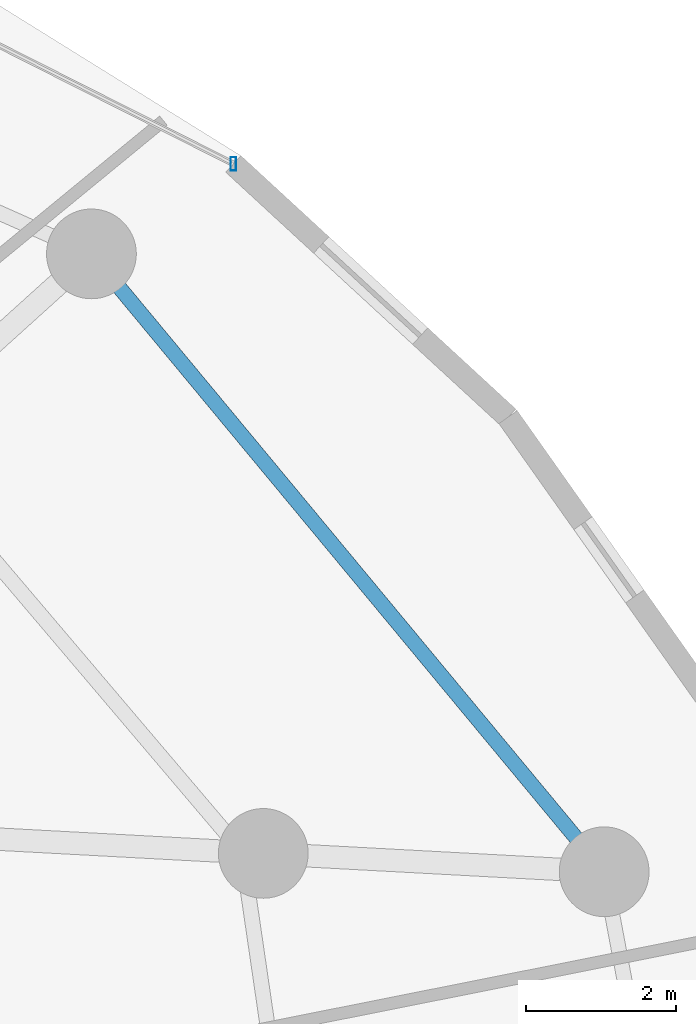
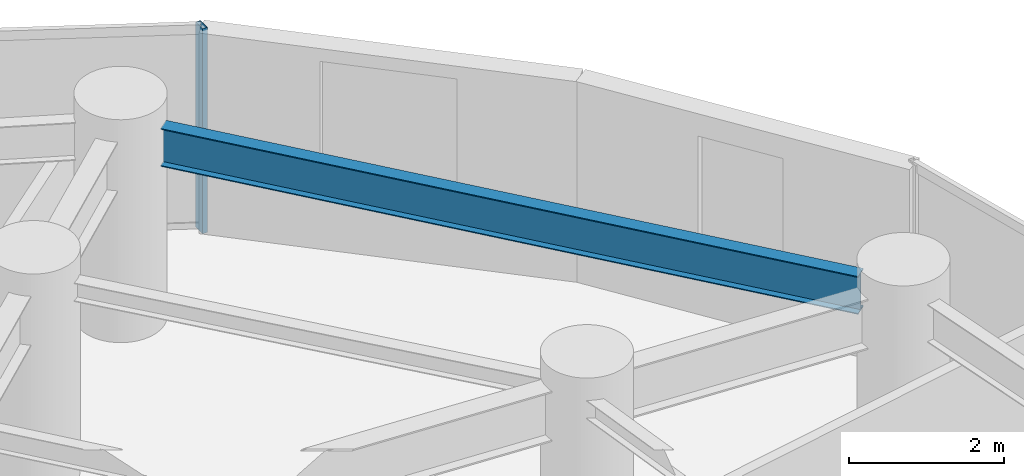
# One storey, part 24 of 34: 1 beam, 1 member, 1 element without a shape of its own.
"""IFC4 building model written with IfcOpenShell, lengths in metres."""

import ifcopenshell
import ifcopenshell.guid

model = None  # the IFC model being written
_history = None  # IfcOwnerHistory: only IFC2X3 demands one
_inside = {}  # id of a spatial element -> (the spatial element, [elements in it])
_under = {}  # id of a project, library or spatial element -> (it, [spatial elements below it])
_declared = {}  # id of a project -> (the project, [libraries it declares])
_typed = {}  # id of a type object -> (the type object, [elements of that type])
_made_of = {}  # id of a material, layer set ... -> (it, [elements and type objects made of it])


def new_model(schema):
    """Start an empty IFC model of exactly this schema.

    Asked for "IFC4X3", IfcOpenShell would pick the latest addendum, in which some entities
    have other attributes; the version numbers below select the first issue.
    IFC2X3 requires an IfcOwnerHistory on every rooted entity: one is made here for all.
    """
    global model, _history
    if schema == "IFC4X3":
        model = ifcopenshell.file(schema_version=(4, 3, 0, 0))
    else:
        model = ifcopenshell.file(schema=schema)
    _inside.clear()
    _under.clear()
    _declared.clear()
    _typed.clear()
    _made_of.clear()
    _history = None
    if model.schema == "IFC2X3":
        org = make("IfcOrganization", Name="unknown")
        user = make(
            "IfcPersonAndOrganization",
            ThePerson=make("IfcPerson", FamilyName="unknown"),
            TheOrganization=org,
        )
        app = make(
            "IfcApplication",
            ApplicationDeveloper=org,
            Version="unknown",
            ApplicationFullName="unknown",
            ApplicationIdentifier="unknown",
        )
        _history = make(
            "IfcOwnerHistory",
            OwningUser=user,
            OwningApplication=app,
            ChangeAction="ADDED",
            CreationDate=0,
        )
    return model


def make(cls, **values):
    """One entity of the class cls with the attributes given. An attribute that is None is left unset."""
    return model.create_entity(
        cls, **{name: value for name, value in values.items() if value is not None}
    )


def rooted(cls, **values):
    """An entity with a GlobalId (a new one), such as an element, a storey or a relation."""
    return make(cls, GlobalId=ifcopenshell.guid.new(), OwnerHistory=_history, **values)


def si_unit(unit_type, name, prefix=None):
    """IfcSIUnit, for example si_unit("LENGTHUNIT", "METRE", prefix="MILLI")."""
    return make("IfcSIUnit", UnitType=unit_type, Prefix=prefix, Name=name)


def assignment(units):
    """IfcUnitAssignment: the units of a project."""
    return None if units is None else make("IfcUnitAssignment", Units=units)


def point(xyz):
    """IfcCartesianPoint."""
    return None if xyz is None else make("IfcCartesianPoint", Coordinates=xyz)


def direction(xyz):
    """IfcDirection."""
    return None if xyz is None else make("IfcDirection", DirectionRatios=xyz)


def frame(location, z_axis=None, x_axis=None):
    """IfcAxis2Placement3D, a coordinate frame: its origin and axes. An axis left out is left unset."""
    return make(
        "IfcAxis2Placement3D",
        Location=point(location),
        Axis=direction(z_axis),
        RefDirection=direction(x_axis),
    )


def frame_2d(location, x_axis=None):
    """IfcAxis2Placement2D, a coordinate frame in the plane: its origin and x axis."""
    return make(
        "IfcAxis2Placement2D", Location=point(location), RefDirection=direction(x_axis)
    )


def origin():
    """The frame at (0, 0, 0) with its axes left unset."""
    return frame((0.0, 0.0, 0.0))


def origin_2d():
    """The frame at (0, 0) in the plane with its x axis left unset."""
    return frame_2d((0.0, 0.0))


def place(relative_to, where):
    """IfcLocalPlacement: puts the frame where relative to a parent placement (None: the world)."""
    return make(
        "IfcLocalPlacement", PlacementRelTo=relative_to, RelativePlacement=where
    )


def context(
    kind, dimensions, precision=None, world=None, true_north=None, identifier=None
):
    """IfcGeometricRepresentationContext, for example the 3D "Model" context."""
    return make(
        "IfcGeometricRepresentationContext",
        ContextIdentifier=identifier,
        ContextType=kind,
        CoordinateSpaceDimension=dimensions,
        Precision=precision,
        WorldCoordinateSystem=world,
        TrueNorth=true_north,
    )


def subcontext(parent, identifier, kind, view, scale=None):
    """IfcGeometricRepresentationSubContext, for example "Body" below "Model"."""
    return make(
        "IfcGeometricRepresentationSubContext",
        ContextIdentifier=identifier,
        ContextType=kind,
        ParentContext=parent,
        TargetScale=scale,
        TargetView=view,
    )


def project(units=None, contexts=None):
    """IfcProject with its units and contexts."""
    return rooted(
        "IfcProject",
        Name="project",
        RepresentationContexts=contexts,
        UnitsInContext=assignment(units),
    )


def spatial(cls, under=None, at=None, **own):
    """A site, building, storey or space (cls), placed at a placement, below another one or the project."""
    s = rooted(cls, ObjectPlacement=at, **own)
    if under is not None:
        _under.setdefault(under.id(), (under, []))[1].append(s)
    return s


def profile(cls, at=None, kind="AREA", **sizes):
    """A parametric profile (cls). Its sizes go by their IFC names, for example OverallWidth=200.0."""
    return make(cls, ProfileType=kind, Position=at, **sizes)


def hollow_rectangle(**sizes):
    """IfcRectangleHollowProfileDef."""
    return profile("IfcRectangleHollowProfileDef", **sizes)


def i_section(**sizes):
    """IfcIShapeProfileDef."""
    return profile("IfcIShapeProfileDef", **sizes)


def extrude(swept, where, along, depth):
    """IfcExtrudedAreaSolid: the profile swept, set in the frame where, extruded along a direction by depth."""
    return make(
        "IfcExtrudedAreaSolid",
        SweptArea=swept,
        Position=where,
        ExtrudedDirection=direction(along),
        Depth=depth,
    )


def shape(context_of_items, identifier, shape_type, items):
    """IfcShapeRepresentation: the items that make up one representation, for example the "Body"."""
    return make(
        "IfcShapeRepresentation",
        ContextOfItems=context_of_items,
        RepresentationIdentifier=identifier,
        RepresentationType=shape_type,
        Items=items,
    )


def material(Name=None, Category=None):
    """IfcMaterial."""
    return make("IfcMaterial", Name=Name, Category=Category)


def material_profile(
    of_material, cross_section, Name=None, Category=None, Priority=None
):
    """IfcMaterialProfile: a cross section and its material."""
    return make(
        "IfcMaterialProfile",
        Name=Name,
        Material=of_material,
        Profile=cross_section,
        Priority=Priority,
        Category=Category,
    )


def profile_set(profiles, Name=None, composite=None):
    """IfcMaterialProfileSet."""
    return make(
        "IfcMaterialProfileSet",
        Name=Name,
        MaterialProfiles=profiles,
        CompositeProfile=composite,
    )


def made_of(thing, what):
    """Note that an element or type object is made of a material, layer set ...; save() writes the relation."""
    if what is not None:
        _made_of.setdefault(what.id(), (what, []))[1].append(thing)
    return thing


def type_object(cls, material=None, **own):
    """A type object (cls), such as IfcWallType, which elements share."""
    return made_of(rooted(cls, **own), material)


def element(
    cls,
    number,
    at=None,
    inside=None,
    cuts=None,
    type_object=None,
    material=None,
    context=None,
    identifier="Body",
    shape_type=None,
    held_by="IfcProductDefinitionShape",
    body=None,
    shapes=None,
    **own,
):
    """One element of the class cls, such as IfcWall. Its Tag is "e" and its number.

    at: its placement. inside: the storey or other place that contains it. cuts: it is an
    opening in that element (IfcRelVoidsElement). A single representation is given by context,
    identifier, shape_type and body (its items); several are given by shapes. held_by: the class
    of the entity that holds the representations. save() writes the other relations.
    """
    e = rooted(cls, Tag="e%d" % number, ObjectPlacement=at, **own)
    if body is not None:
        shapes = [shape(context, identifier, shape_type, body)]
    if shapes is not None:
        e.Representation = make(held_by, Representations=shapes)
    if inside is not None:
        _inside.setdefault(inside.id(), (inside, []))[1].append(e)
    if cuts is not None:
        rooted(
            "IfcRelVoidsElement", RelatingBuildingElement=cuts, RelatedOpeningElement=e
        )
    if type_object is not None:
        _typed.setdefault(type_object.id(), (type_object, []))[1].append(e)
    return made_of(e, material)


def aggregate(whole, parts):
    """IfcRelAggregates: a whole, such as a stair, and the parts it consists of."""
    return rooted("IfcRelAggregates", RelatingObject=whole, RelatedObjects=parts)


def save(model, path):
    """Write the relations noted so far, then the file.

    IfcRelAggregates (storeys below a building ...), IfcRelContainedInSpatialStructure (elements
    in a storey), IfcRelDefinesByType, IfcRelAssociatesMaterial and IfcRelDeclares: one each for
    every whole, place, type object, material and project.
    """
    for whole, parts in _under.values():
        aggregate(whole, parts)
    for where, things in _inside.values():
        rooted(
            "IfcRelContainedInSpatialStructure",
            RelatedElements=things,
            RelatingStructure=where,
        )
    for kind, things in _typed.values():
        rooted("IfcRelDefinesByType", RelatedObjects=things, RelatingType=kind)
    for what, things in _made_of.values():
        rooted("IfcRelAssociatesMaterial", RelatedObjects=things, RelatingMaterial=what)
    for by, libraries in _declared.values():
        rooted("IfcRelDeclares", RelatingContext=by, RelatedDefinitions=libraries)
    model.write(path)


model = new_model("IFC4")

# Units and contexts
model_context = context("Model", 3, precision=1e-05, world=origin(), true_north=direction((0.0, 1.0)))
body_context = subcontext(model_context, "Body", "Model", "MODEL_VIEW")
ifc_project = project(units=[si_unit("LENGTHUNIT", "METRE"), si_unit("AREAUNIT", "SQUARE_METRE"), si_unit("VOLUMEUNIT", "CUBIC_METRE"), si_unit("PLANEANGLEUNIT", "RADIAN"), si_unit("MASSUNIT", "GRAM", prefix="KILO")], contexts=[model_context])

# Site, building, storey
site_placement = place(None, origin())
site = spatial("IfcSite", under=ifc_project, at=site_placement, CompositionType="ELEMENT")
building_placement = place(site_placement, origin())
building = spatial("IfcBuilding", under=site, at=building_placement, Name="Vorneva Point Tower", CompositionType="ELEMENT")
storey_placement = place(building_placement, frame((0.0, 0.0, 66.0)))
storey = spatial("IfcBuildingStorey", under=building, at=storey_placement, Name="L17", CompositionType="ELEMENT", Elevation=66.0)

# Beam
ifc_material_1 = material(Name="Steel S355", Category="steel")
ifc_material_profile_1 = material_profile(ifc_material_1, i_section(OverallWidth=0.198974609375, OverallDepth=0.595947265625, WebThickness=0.010009765625, FlangeThickness=0.014892578125, at=origin_2d()), Name="60B1")
ifc_profile_set_1 = profile_set([ifc_material_profile_1], Name="Steel S355")
beam_type = type_object("IfcBeamType", Name="BM-SPN-60B1", PredefinedType="SPANDREL", material=ifc_profile_set_1)
beam_placement = place(storey_placement, frame((63.48095703125, 32.786865234375, 2.85205078125), z_axis=(-0.63859176117, 0.769545685821, 0.0), x_axis=(-0.769545685821, -0.63859176117, 0.0)))
element("IfcBeam", 1, at=beam_placement, inside=storey, type_object=beam_type, Name="L17 Perimeter Spandrel Ring Beam 02", PredefinedType="SPANDREL", context=body_context, shape_type="SweptSolid", body=[
    extrude(i_section(OverallWidth=0.198974609375, OverallDepth=0.595947265625, WebThickness=0.010009765625, FlangeThickness=0.014892578125, at=origin_2d()), origin(), (0.0, 0.0, 1.0), 9.567626953125),
])

# Curtain wall, member
ifc_material_2 = material(Name="Pale anodised aluminium", Category="aluminium")
curtain_wall_type = type_object("IfcCurtainWallType", Name="CW-HTL-SYS", PredefinedType="NOTDEFINED", material=ifc_material_2)
curtain_wall_placement = place(storey_placement, origin())
curtain_wall = element("IfcCurtainWall", 2, at=curtain_wall_placement, inside=storey, type_object=curtain_wall_type, Name="L17 Unitised Curtain Wall CW-L17-R02", PredefinedType="NOTDEFINED")
ifc_material_profile_2 = material_profile(ifc_material_2, hollow_rectangle(XDim=0.074951171875, YDim=0.179931640625, WallThickness=0.00390625, at=origin_2d()), Name="AL-MUL 180x75x4")
ifc_profile_set_2 = profile_set([ifc_material_profile_2], Name="Pale anodised aluminium")
member_type = type_object("IfcMemberType", Name="CW-MUL-180", PredefinedType="MULLION", material=ifc_profile_set_2)
member_placement = place(storey_placement, frame((58.89501953125, 41.8037109375, -0.0400390625), z_axis=(0.0, 0.0, 1.0), x_axis=(1.0, 0.0, 0.0)))
member = element("IfcMember", 3, at=member_placement, type_object=member_type, Name="CW-L17-R02 Mullion 01", PredefinedType="MULLION", context=body_context, shape_type="SweptSolid", body=[
    extrude(hollow_rectangle(XDim=0.074951171875, YDim=0.179931640625, WallThickness=0.00390625, at=origin_2d()), origin(), (0.0, 0.0, 1.0), 3.219970703125),
])
aggregate(curtain_wall, [member])

save(model, "model.ifc")
